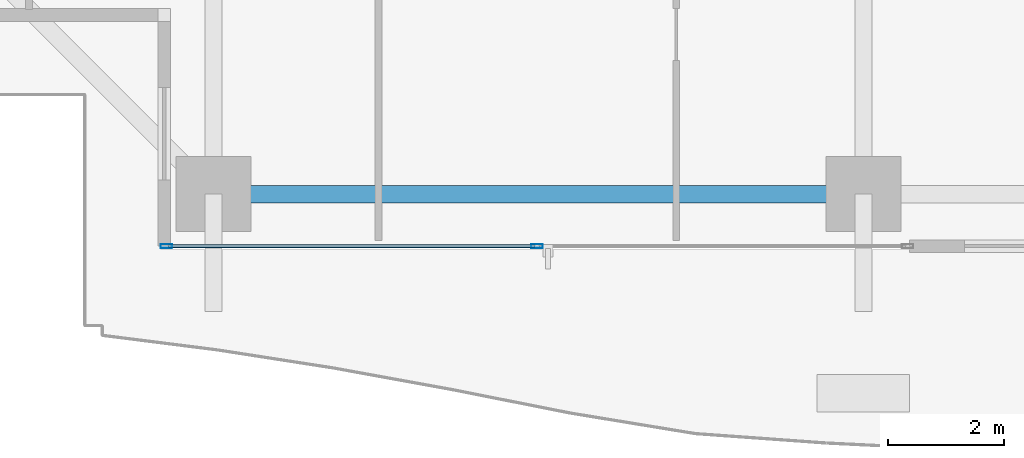
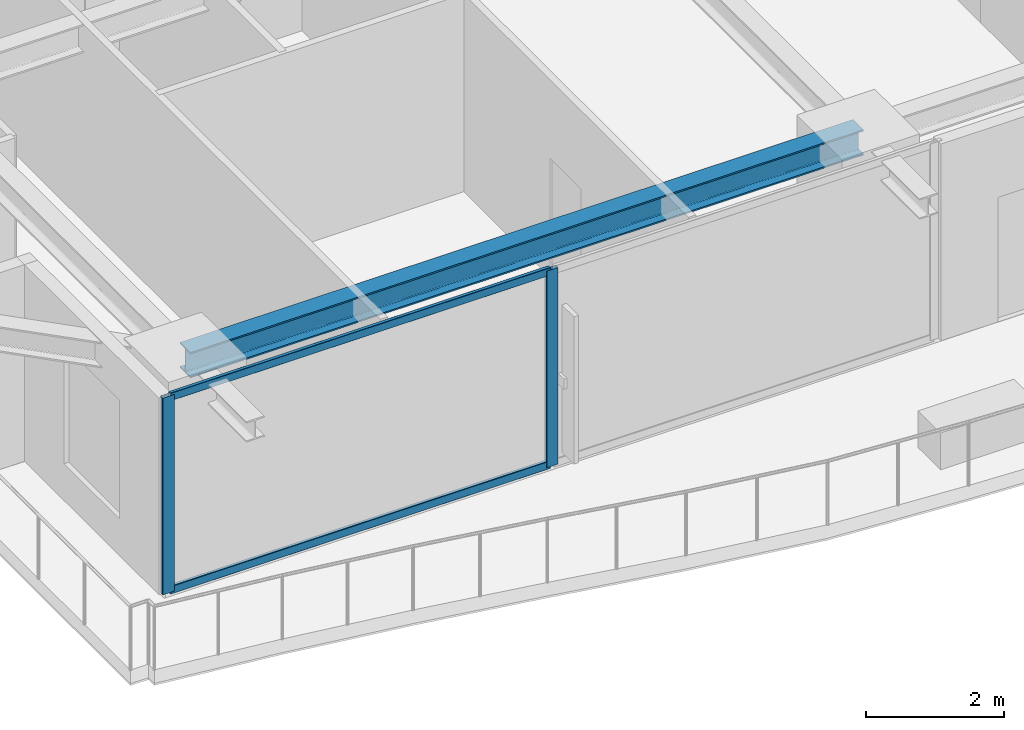
# One storey, part 2 of 36: 4 members, 1 beam, 1 element without a shape of its own.
"""IFC4 building model written with IfcOpenShell, lengths in metres."""

import ifcopenshell
import ifcopenshell.guid

model = None  # the IFC model being written
_history = None  # IfcOwnerHistory: only IFC2X3 demands one
_inside = {}  # id of a spatial element -> (the spatial element, [elements in it])
_under = {}  # id of a project, library or spatial element -> (it, [spatial elements below it])
_declared = {}  # id of a project -> (the project, [libraries it declares])
_typed = {}  # id of a type object -> (the type object, [elements of that type])
_made_of = {}  # id of a material, layer set ... -> (it, [elements and type objects made of it])


def new_model(schema):
    """Start an empty IFC model of exactly this schema.

    Asked for "IFC4X3", IfcOpenShell would pick the latest addendum, in which some entities
    have other attributes; the version numbers below select the first issue.
    IFC2X3 requires an IfcOwnerHistory on every rooted entity: one is made here for all.
    """
    global model, _history
    if schema == "IFC4X3":
        model = ifcopenshell.file(schema_version=(4, 3, 0, 0))
    else:
        model = ifcopenshell.file(schema=schema)
    _inside.clear()
    _under.clear()
    _declared.clear()
    _typed.clear()
    _made_of.clear()
    _history = None
    if model.schema == "IFC2X3":
        org = make("IfcOrganization", Name="unknown")
        user = make(
            "IfcPersonAndOrganization",
            ThePerson=make("IfcPerson", FamilyName="unknown"),
            TheOrganization=org,
        )
        app = make(
            "IfcApplication",
            ApplicationDeveloper=org,
            Version="unknown",
            ApplicationFullName="unknown",
            ApplicationIdentifier="unknown",
        )
        _history = make(
            "IfcOwnerHistory",
            OwningUser=user,
            OwningApplication=app,
            ChangeAction="ADDED",
            CreationDate=0,
        )
    return model


def make(cls, **values):
    """One entity of the class cls with the attributes given. An attribute that is None is left unset."""
    return model.create_entity(
        cls, **{name: value for name, value in values.items() if value is not None}
    )


def rooted(cls, **values):
    """An entity with a GlobalId (a new one), such as an element, a storey or a relation."""
    return make(cls, GlobalId=ifcopenshell.guid.new(), OwnerHistory=_history, **values)


def si_unit(unit_type, name, prefix=None):
    """IfcSIUnit, for example si_unit("LENGTHUNIT", "METRE", prefix="MILLI")."""
    return make("IfcSIUnit", UnitType=unit_type, Prefix=prefix, Name=name)


def assignment(units):
    """IfcUnitAssignment: the units of a project."""
    return None if units is None else make("IfcUnitAssignment", Units=units)


def point(xyz):
    """IfcCartesianPoint."""
    return None if xyz is None else make("IfcCartesianPoint", Coordinates=xyz)


def direction(xyz):
    """IfcDirection."""
    return None if xyz is None else make("IfcDirection", DirectionRatios=xyz)


def frame(location, z_axis=None, x_axis=None):
    """IfcAxis2Placement3D, a coordinate frame: its origin and axes. An axis left out is left unset."""
    return make(
        "IfcAxis2Placement3D",
        Location=point(location),
        Axis=direction(z_axis),
        RefDirection=direction(x_axis),
    )


def frame_2d(location, x_axis=None):
    """IfcAxis2Placement2D, a coordinate frame in the plane: its origin and x axis."""
    return make(
        "IfcAxis2Placement2D", Location=point(location), RefDirection=direction(x_axis)
    )


def origin():
    """The frame at (0, 0, 0) with its axes left unset."""
    return frame((0.0, 0.0, 0.0))


def origin_2d():
    """The frame at (0, 0) in the plane with its x axis left unset."""
    return frame_2d((0.0, 0.0))


def place(relative_to, where):
    """IfcLocalPlacement: puts the frame where relative to a parent placement (None: the world)."""
    return make(
        "IfcLocalPlacement", PlacementRelTo=relative_to, RelativePlacement=where
    )


def context(
    kind, dimensions, precision=None, world=None, true_north=None, identifier=None
):
    """IfcGeometricRepresentationContext, for example the 3D "Model" context."""
    return make(
        "IfcGeometricRepresentationContext",
        ContextIdentifier=identifier,
        ContextType=kind,
        CoordinateSpaceDimension=dimensions,
        Precision=precision,
        WorldCoordinateSystem=world,
        TrueNorth=true_north,
    )


def subcontext(parent, identifier, kind, view, scale=None):
    """IfcGeometricRepresentationSubContext, for example "Body" below "Model"."""
    return make(
        "IfcGeometricRepresentationSubContext",
        ContextIdentifier=identifier,
        ContextType=kind,
        ParentContext=parent,
        TargetScale=scale,
        TargetView=view,
    )


def project(units=None, contexts=None):
    """IfcProject with its units and contexts."""
    return rooted(
        "IfcProject",
        Name="project",
        RepresentationContexts=contexts,
        UnitsInContext=assignment(units),
    )


def spatial(cls, under=None, at=None, **own):
    """A site, building, storey or space (cls), placed at a placement, below another one or the project."""
    s = rooted(cls, ObjectPlacement=at, **own)
    if under is not None:
        _under.setdefault(under.id(), (under, []))[1].append(s)
    return s


def profile(cls, at=None, kind="AREA", **sizes):
    """A parametric profile (cls). Its sizes go by their IFC names, for example OverallWidth=200.0."""
    return make(cls, ProfileType=kind, Position=at, **sizes)


def hollow_rectangle(**sizes):
    """IfcRectangleHollowProfileDef."""
    return profile("IfcRectangleHollowProfileDef", **sizes)


def i_section(**sizes):
    """IfcIShapeProfileDef."""
    return profile("IfcIShapeProfileDef", **sizes)


def extrude(swept, where, along, depth):
    """IfcExtrudedAreaSolid: the profile swept, set in the frame where, extruded along a direction by depth."""
    return make(
        "IfcExtrudedAreaSolid",
        SweptArea=swept,
        Position=where,
        ExtrudedDirection=direction(along),
        Depth=depth,
    )


def shape(context_of_items, identifier, shape_type, items):
    """IfcShapeRepresentation: the items that make up one representation, for example the "Body"."""
    return make(
        "IfcShapeRepresentation",
        ContextOfItems=context_of_items,
        RepresentationIdentifier=identifier,
        RepresentationType=shape_type,
        Items=items,
    )


def source(mapping_origin, context_of_items, identifier, shape_type, items):
    """IfcRepresentationMap: a shape defined once, which mapped items show again and again."""
    return make(
        "IfcRepresentationMap",
        MappingOrigin=mapping_origin,
        MappedRepresentation=shape(context_of_items, identifier, shape_type, items),
    )


def transform(
    local_origin,
    x_axis=None,
    y_axis=None,
    z_axis=None,
    scale=None,
    scale2=None,
    scale3=None,
    uniform=True,
):
    """IfcCartesianTransformationOperator3D, or its non-uniform kind. x_axis, y_axis, z_axis: its Axis1, 2, 3."""
    if uniform:
        return make(
            "IfcCartesianTransformationOperator3D",
            Axis1=direction(x_axis),
            Axis2=direction(y_axis),
            LocalOrigin=point(local_origin),
            Scale=scale,
            Axis3=direction(z_axis),
        )
    return make(
        "IfcCartesianTransformationOperator3DnonUniform",
        Axis1=direction(x_axis),
        Axis2=direction(y_axis),
        LocalOrigin=point(local_origin),
        Scale=scale,
        Axis3=direction(z_axis),
        Scale2=scale2,
        Scale3=scale3,
    )


def mapped(mapping_source, mapping_target):
    """IfcMappedItem: shows the shape of a source again, moved by a transform."""
    return make(
        "IfcMappedItem", MappingSource=mapping_source, MappingTarget=mapping_target
    )


def material(Name=None, Category=None):
    """IfcMaterial."""
    return make("IfcMaterial", Name=Name, Category=Category)


def layer(
    of_material, thickness, ventilated=None, Name=None, Category=None, Priority=None
):
    """IfcMaterialLayer: one layer of a wall or slab, of a material (None: an air gap)."""
    return make(
        "IfcMaterialLayer",
        Material=of_material,
        LayerThickness=thickness,
        IsVentilated=ventilated,
        Name=Name,
        Category=Category,
        Priority=Priority,
    )


def layer_set(layers, Name=None):
    """IfcMaterialLayerSet."""
    return make("IfcMaterialLayerSet", MaterialLayers=layers, LayerSetName=Name)


def material_profile(
    of_material, cross_section, Name=None, Category=None, Priority=None
):
    """IfcMaterialProfile: a cross section and its material."""
    return make(
        "IfcMaterialProfile",
        Name=Name,
        Material=of_material,
        Profile=cross_section,
        Priority=Priority,
        Category=Category,
    )


def profile_set(profiles, Name=None, composite=None):
    """IfcMaterialProfileSet."""
    return make(
        "IfcMaterialProfileSet",
        Name=Name,
        MaterialProfiles=profiles,
        CompositeProfile=composite,
    )


def made_of(thing, what):
    """Note that an element or type object is made of a material, layer set ...; save() writes the relation."""
    if what is not None:
        _made_of.setdefault(what.id(), (what, []))[1].append(thing)
    return thing


def type_object(cls, material=None, **own):
    """A type object (cls), such as IfcWallType, which elements share."""
    return made_of(rooted(cls, **own), material)


def element(
    cls,
    number,
    at=None,
    inside=None,
    cuts=None,
    type_object=None,
    material=None,
    context=None,
    identifier="Body",
    shape_type=None,
    held_by="IfcProductDefinitionShape",
    body=None,
    shapes=None,
    **own,
):
    """One element of the class cls, such as IfcWall. Its Tag is "e" and its number.

    at: its placement. inside: the storey or other place that contains it. cuts: it is an
    opening in that element (IfcRelVoidsElement). A single representation is given by context,
    identifier, shape_type and body (its items); several are given by shapes. held_by: the class
    of the entity that holds the representations. save() writes the other relations.
    """
    e = rooted(cls, Tag="e%d" % number, ObjectPlacement=at, **own)
    if body is not None:
        shapes = [shape(context, identifier, shape_type, body)]
    if shapes is not None:
        e.Representation = make(held_by, Representations=shapes)
    if inside is not None:
        _inside.setdefault(inside.id(), (inside, []))[1].append(e)
    if cuts is not None:
        rooted(
            "IfcRelVoidsElement", RelatingBuildingElement=cuts, RelatedOpeningElement=e
        )
    if type_object is not None:
        _typed.setdefault(type_object.id(), (type_object, []))[1].append(e)
    return made_of(e, material)


def aggregate(whole, parts):
    """IfcRelAggregates: a whole, such as a stair, and the parts it consists of."""
    return rooted("IfcRelAggregates", RelatingObject=whole, RelatedObjects=parts)


def save(model, path):
    """Write the relations noted so far, then the file.

    IfcRelAggregates (storeys below a building ...), IfcRelContainedInSpatialStructure (elements
    in a storey), IfcRelDefinesByType, IfcRelAssociatesMaterial and IfcRelDeclares: one each for
    every whole, place, type object, material and project.
    """
    for whole, parts in _under.values():
        aggregate(whole, parts)
    for where, things in _inside.values():
        rooted(
            "IfcRelContainedInSpatialStructure",
            RelatedElements=things,
            RelatingStructure=where,
        )
    for kind, things in _typed.values():
        rooted("IfcRelDefinesByType", RelatedObjects=things, RelatingType=kind)
    for what, things in _made_of.values():
        rooted("IfcRelAssociatesMaterial", RelatedObjects=things, RelatingMaterial=what)
    for by, libraries in _declared.values():
        rooted("IfcRelDeclares", RelatingContext=by, RelatedDefinitions=libraries)
    model.write(path)


model = new_model("IFC4")

# Units and contexts
model_context = context("Model", 3, precision=1e-05, world=origin(), true_north=direction((0.0, 1.0)))
body_context = subcontext(model_context, "Body", "Model", "MODEL_VIEW")
ifc_project = project(units=[si_unit("LENGTHUNIT", "METRE"), si_unit("AREAUNIT", "SQUARE_METRE"), si_unit("VOLUMEUNIT", "CUBIC_METRE"), si_unit("PLANEANGLEUNIT", "RADIAN"), si_unit("MASSUNIT", "GRAM", prefix="KILO")], contexts=[model_context])

# Site, building, storey
site_placement = place(None, origin())
site = spatial("IfcSite", under=ifc_project, at=site_placement, CompositionType="ELEMENT")
building_placement = place(site_placement, origin())
building = spatial("IfcBuilding", under=site, at=building_placement, Name="Serunith Strait Residences", CompositionType="ELEMENT")
storey_placement = place(building_placement, frame((0.0, 0.0, 146.39990234375)))
storey = spatial("IfcBuildingStorey", under=building, at=storey_placement, Name="L36", CompositionType="ELEMENT", Elevation=146.39990234375)

# Beam
ifc_material_1 = material(Name="Steel S355J2", Category="steel")
ifc_material_profile_1 = material_profile(ifc_material_1, i_section(OverallWidth=0.300048828125, OverallDepth=0.449951171875, WebThickness=0.013916015625, FlangeThickness=0.02587890625, FilletRadius=0.027099609375, at=origin_2d()), Name="HEB 450")
ifc_profile_set_1 = profile_set([ifc_material_profile_1], Name="Steel S355J2")
beam_type = type_object("IfcBeamType", Name="BM-HEB450", PredefinedType="BEAM", material=ifc_profile_set_1)
shared_shape_1 = source(origin(), body_context, "Body", "SweptSolid", [
    extrude(i_section(OverallWidth=0.300048828125, OverallDepth=0.449951171875, WebThickness=0.013916015625, FlangeThickness=0.02587890625, FilletRadius=0.027099609375, at=origin_2d()), origin(), (0.0, 0.0, 1.0), 11.25),
])
beam_placement = place(storey_placement, frame((16.64990234375, 2.300048828125, 3.26220703125), z_axis=(1.0, 0.0, 0.0), x_axis=(0.0, 1.0, 0.0)))
element("IfcBeam", 1, at=beam_placement, inside=storey, type_object=beam_type, Name="L36 Perimeter Ring Beam 01", PredefinedType="BEAM", context=body_context, shape_type="MappedRepresentation", body=[
    mapped(shared_shape_1, transform((0.0, 0.0, 0.0), scale=1.0)),
])

# Curtain wall, members
ifc_material_2 = material(Name="Pale-Champagne Anodised Aluminium", Category="aluminium")
ifc_layer = layer(ifc_material_2, 0.199951171875, Name="Pale-Champagne Anodised Aluminium")
ifc_layer_set = layer_set([ifc_layer], Name="Pale-Champagne Anodised Aluminium")
curtain_wall_type = type_object("IfcCurtainWallType", Name="CW-SYS2", PredefinedType="NOTDEFINED", material=ifc_layer_set)
curtain_wall_placement = place(storey_placement, origin())
curtain_wall = element("IfcCurtainWall", 2, at=curtain_wall_placement, inside=storey, type_object=curtain_wall_type, Name="L36 S Unitised Fritted Curtain Wall", PredefinedType="NOTDEFINED")
ifc_material_profile_2 = material_profile(ifc_material_2, hollow_rectangle(XDim=0.070068359375, YDim=0.199951171875, WallThickness=0.00390625, InnerFilletRadius=0.006103515625, OuterFilletRadius=0.010009765625, at=origin_2d()), Name="ALU 200x70x4")
ifc_profile_set_2 = profile_set([ifc_material_profile_2], Name="Pale-Champagne Anodised Aluminium")
member_type_1 = type_object("IfcMemberType", Name="CW-SYS2-MULL", PredefinedType="MULLION", material=ifc_profile_set_2)
shared_shape_2 = source(origin(), body_context, "Body", "SweptSolid", [
    extrude(hollow_rectangle(XDim=0.070068359375, YDim=0.199951171875, WallThickness=0.00390625, InnerFilletRadius=0.006103515625, OuterFilletRadius=0.010009765625, at=origin_2d()), origin(), (0.0, 0.0, 1.0), 3.47509765625),
])
member_1_placement = place(storey_placement, frame((15.8349609375, 1.39990234375, 0.0), z_axis=(0.0, 0.0, 1.0), x_axis=(0.0, 1.0, 0.0)))
member_1 = element("IfcMember", 3, at=member_1_placement, type_object=member_type_1, Name="CW-2 mullion 1", PredefinedType="MULLION", context=body_context, shape_type="MappedRepresentation", body=[
    mapped(shared_shape_2, transform((0.0, 0.0, 0.0), scale=1.0)),
])
member_2_placement = place(storey_placement, frame((22.25, 1.39990234375, 0.0), z_axis=(0.0, 0.0, 1.0), x_axis=(0.0, 1.0, 0.0)))
member_2 = element("IfcMember", 4, at=member_2_placement, type_object=member_type_1, Name="CW-2 mullion 2", PredefinedType="MULLION", context=body_context, shape_type="MappedRepresentation", body=[
    mapped(shared_shape_2, transform((0.0, 0.0, 0.0), scale=1.0)),
])
ifc_material_profile_3 = material_profile(ifc_material_2, hollow_rectangle(XDim=0.06005859375, YDim=0.139892578125, WallThickness=0.00341796875, InnerFilletRadius=0.00537109375, OuterFilletRadius=0.0087890625, at=origin_2d()), Name="ALU 140x60x3.5")
ifc_profile_set_3 = profile_set([ifc_material_profile_3], Name="Pale-Champagne Anodised Aluminium")
member_type_2 = type_object("IfcMemberType", Name="CW-SYS2-TRAN", PredefinedType="USERDEFINED", material=ifc_profile_set_3)
shared_shape_3 = source(origin(), body_context, "Body", "SweptSolid", [
    extrude(hollow_rectangle(XDim=0.06005859375, YDim=0.139892578125, WallThickness=0.00341796875, InnerFilletRadius=0.00537109375, OuterFilletRadius=0.0087890625, at=origin_2d()), origin(), (0.0, 0.0, 1.0), 6.344970703125),
])
member_3_placement = place(storey_placement, frame((15.8701171875, 1.39990234375, 0.030029296875), z_axis=(1.0, 0.0, 0.0), x_axis=(0.0, 1.0, 0.0)))
member_3 = element("IfcMember", 5, at=member_3_placement, type_object=member_type_2, Name="CW-2 transom 1.1", ObjectType="TRANSOM", PredefinedType="USERDEFINED", context=body_context, shape_type="MappedRepresentation", body=[
    mapped(shared_shape_3, transform((0.0, 0.0, 0.0), scale=1.0)),
])
member_4_placement = place(storey_placement, frame((15.8701171875, 1.39990234375, 3.445068359375), z_axis=(1.0, 0.0, 0.0), x_axis=(0.0, 1.0, 0.0)))
member_4 = element("IfcMember", 6, at=member_4_placement, type_object=member_type_2, Name="CW-2 transom 1.2", ObjectType="TRANSOM", PredefinedType="USERDEFINED", context=body_context, shape_type="MappedRepresentation", body=[
    mapped(shared_shape_3, transform((0.0, 0.0, 0.0), scale=1.0)),
])
aggregate(curtain_wall, [member_1, member_2, member_3, member_4])

save(model, "model.ifc")
